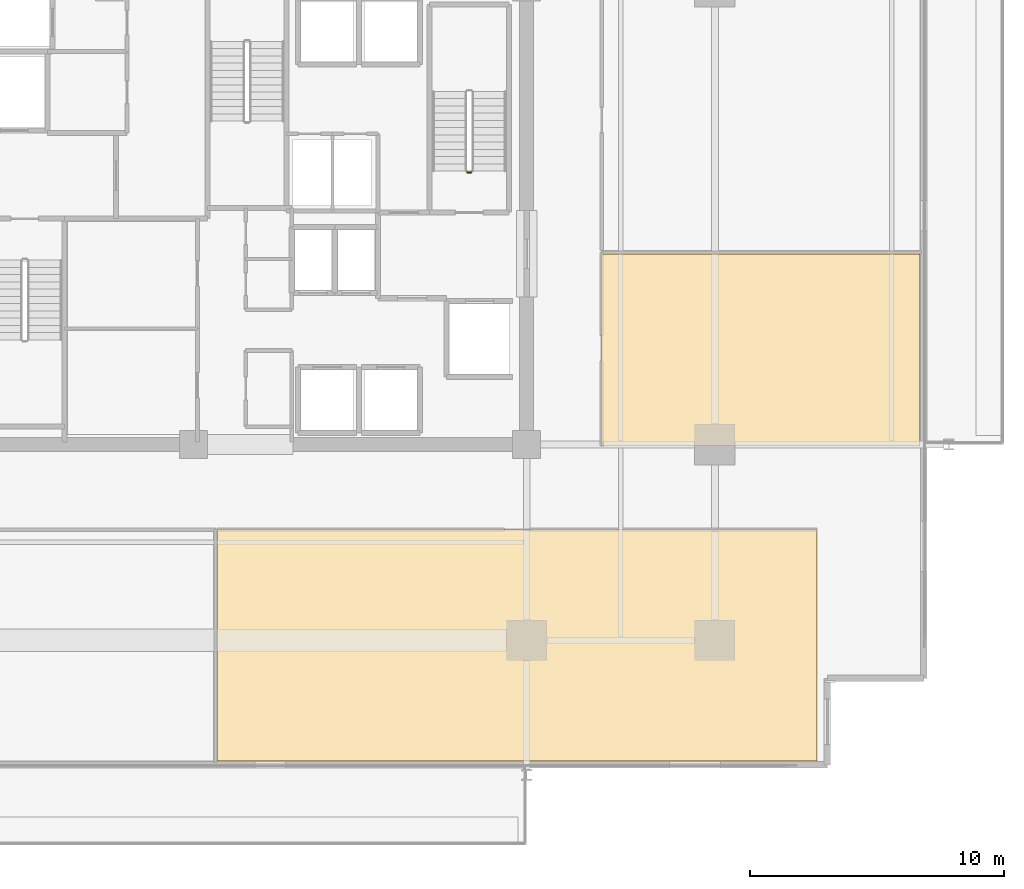
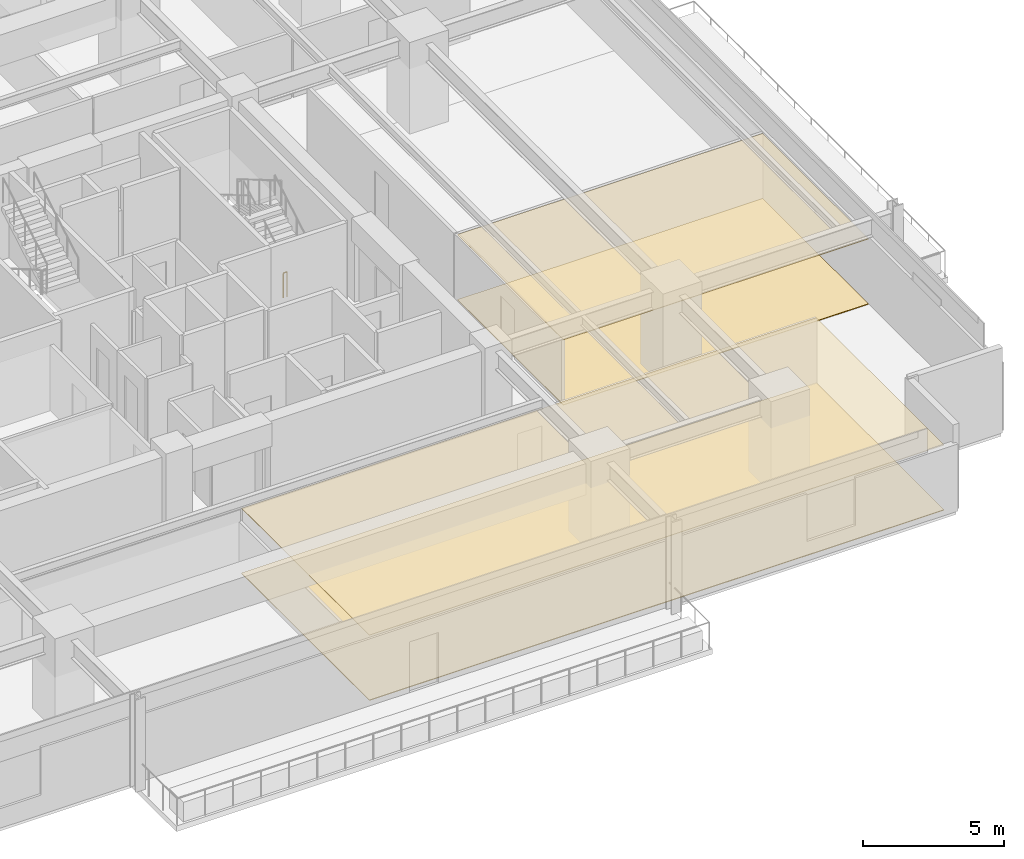
# One storey, part 20 of 22: 4 coverings, 1 railing.
"""IFC4 building model written with IfcOpenShell, lengths in metres."""

from ifc_helpers import new_model, si_unit, direction, frame, origin, origin_2d, place, context, subcontext, project, spatial, polyline, circle, outline, extrude, material, layer, layer_set, type_object, element, save


model = new_model("IFC4")

# Units and contexts
model_context = context("Model", 3, precision=1e-05, world=origin(), true_north=direction((0.0, 1.0)))
body_context = subcontext(model_context, "Body", "Model", "MODEL_VIEW")
ifc_project = project(units=[si_unit("LENGTHUNIT", "METRE"), si_unit("AREAUNIT", "SQUARE_METRE"), si_unit("VOLUMEUNIT", "CUBIC_METRE"), si_unit("PLANEANGLEUNIT", "RADIAN"), si_unit("MASSUNIT", "GRAM", prefix="KILO")], contexts=[model_context])

# Site, building, storey
site_placement = place(None, origin())
site = spatial("IfcSite", under=ifc_project, at=site_placement, CompositionType="ELEMENT")
building_placement = place(site_placement, origin())
building = spatial("IfcBuilding", under=site, at=building_placement, Name="Kovane Verandah Tower", CompositionType="ELEMENT")
storey_placement = place(building_placement, frame((0.0, 0.0, 180.39990234375)))
storey = spatial("IfcBuildingStorey", under=building, at=storey_placement, Name="L42", CompositionType="ELEMENT", Elevation=180.39990234375)

# Coverings
ifc_material_1 = material(Name="Perforated Acoustic Mineral-Fibre Ceiling Tile", Category="gypsum")
ifc_layer_1 = layer(ifc_material_1, 0.02490234375)
ifc_layer_set_1 = layer_set([ifc_layer_1], Name="Perforated Acoustic Mineral-Fibre Ceiling Tile")
covering_type_1 = type_object("IfcCoveringType", Name="CV-CEIL-25", PredefinedType="CEILING", material=ifc_layer_set_1)
covering_1_placement = place(storey_placement, frame((0.0, 0.0, 2.8251953125)))
element("IfcCovering", 1, at=covering_1_placement, inside=storey, type_object=covering_type_1, Name="L42 Meeting Room S2 Acoustic Ceiling", PredefinedType="CEILING", context=body_context, shape_type="SweptSolid", body=[
    extrude(outline(polyline([(38.8291015625, 6.050048828125), (62.419921875, 6.050048828125), (62.419921875, 15.14990234375), (38.8291015625, 15.14990234375), (38.8291015625, 6.050048828125)])), origin(), (0.0, 0.0, 1.0), 0.02490234375),
])
covering_2_placement = place(storey_placement, frame((0.0, 0.0, 2.8251953125)))
element("IfcCovering", 2, at=covering_2_placement, inside=storey, type_object=covering_type_1, Name="L42 Breakout Pantry E1 Acoustic Ceiling", PredefinedType="CEILING", context=body_context, shape_type="SweptSolid", body=[
    extrude(outline(polyline([(53.949951171875, 18.449951171875), (66.469970703125, 18.449951171875), (66.469970703125, 25.98193359375), (53.949951171875, 25.98193359375), (53.949951171875, 18.449951171875)])), origin(), (0.0, 0.0, 1.0), 0.02490234375),
])
ifc_material_2 = material(Name="Polished Terrazzo and Raised-Access Carpet Tile Finish", Category="concrete")
ifc_layer_2 = layer(ifc_material_2, 0.030029296875)
ifc_layer_set_2 = layer_set([ifc_layer_2], Name="Polished Terrazzo and Raised-Access Carpet Tile Finish")
covering_type_2 = type_object("IfcCoveringType", Name="CV-FLOR-30", PredefinedType="FLOORING", material=ifc_layer_set_2)
covering_3_placement = place(storey_placement, origin())
element("IfcCovering", 3, at=covering_3_placement, inside=storey, type_object=covering_type_2, Name="L42 Meeting Room S2 Floor Finish", PredefinedType="FLOORING", context=body_context, shape_type="SweptSolid", body=[
    extrude(outline(polyline([(38.8291015625, 6.050048828125), (62.419921875, 6.050048828125), (62.419921875, 15.14990234375), (38.8291015625, 15.14990234375), (38.8291015625, 6.050048828125)])), origin(), (0.0, 0.0, 1.0), 0.030029296875),
])
covering_4_placement = place(storey_placement, origin())
element("IfcCovering", 4, at=covering_4_placement, inside=storey, type_object=covering_type_2, Name="L42 Breakout Pantry E1 Floor Finish", PredefinedType="FLOORING", context=body_context, shape_type="SweptSolid", body=[
    extrude(outline(polyline([(53.949951171875, 18.449951171875), (66.469970703125, 18.449951171875), (66.469970703125, 25.98193359375), (53.949951171875, 25.98193359375), (53.949951171875, 18.449951171875)])), origin(), (0.0, 0.0, 1.0), 0.030029296875),
])

# Railing
ifc_material_3 = material(Name="Painted Steel Stairwell Guardrail", Category="steel")
railing_type = type_object("IfcRailingType", Name="RL-STGUARD-1120", PredefinedType="GUARDRAIL", material=ifc_material_3)
railing_placement = place(storey_placement, frame((48.820068359375, 29.199951171875, 0.0)))
element("IfcRailing", 5, at=railing_placement, inside=storey, type_object=railing_type, Name="L42 ST-02 stair guard 4", PredefinedType="GUARDRAIL", context=body_context, shape_type="SweptSolid", body=[
    extrude(circle(Radius=0.02392578125, at=origin_2d()), frame((0.0, 0.0, 1.076171875), z_axis=(-1.0, 0.0, 0.0), x_axis=(0.0, -1.0, 0.0)), (0.0, 0.0, 1.0), 0.16015625),
    extrude(circle(Radius=0.02099609375, at=origin_2d()), origin(), (0.0, 0.0, 1.0), 1.052001953125),
    extrude(circle(Radius=0.02099609375, at=origin_2d()), frame((-0.16015625, 0.0, 0.0)), (0.0, 0.0, 1.0), 1.052001953125),
])

save(model, "model.ifc")
